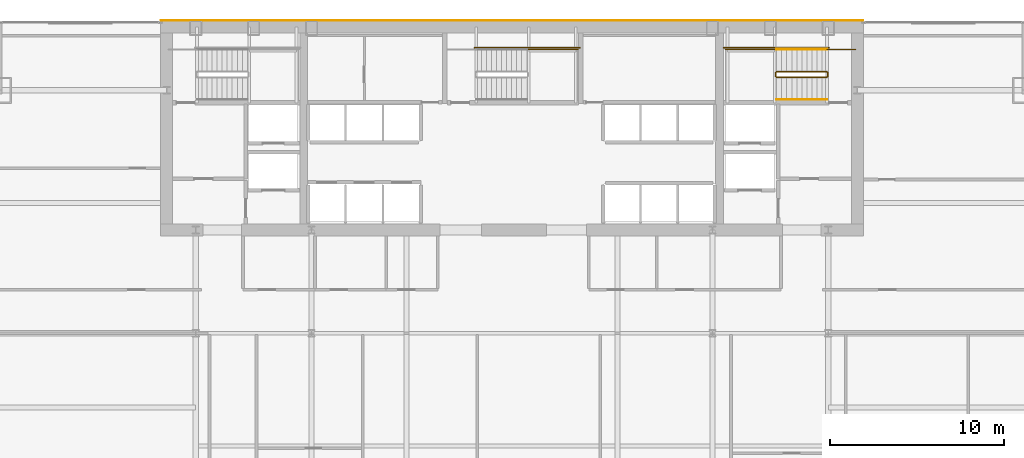
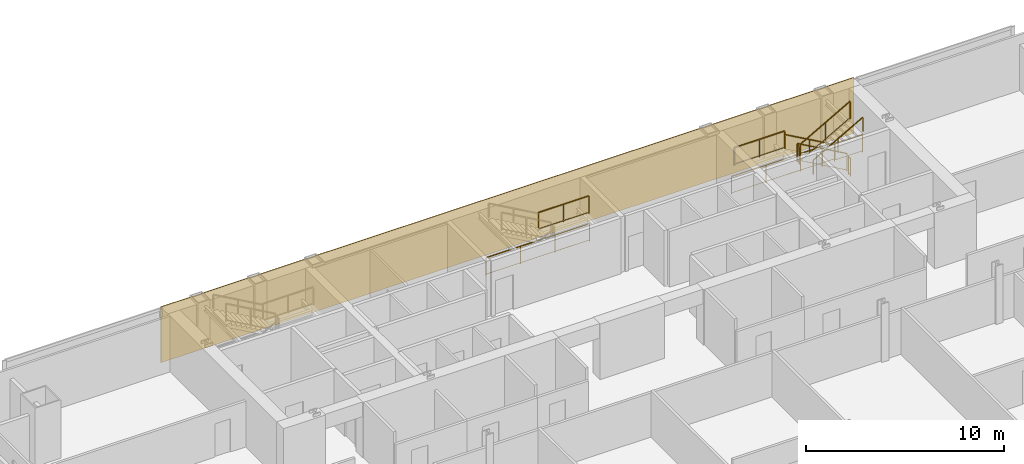
# One storey, part 31 of 32: 11 railings, 1 covering.
"""IFC4 building model written with IfcOpenShell, lengths in metres."""

from ifc_helpers import new_model, si_unit, direction, frame, origin, origin_2d, place, context, subcontext, project, spatial, polyline, rectangle, outline, extrude, material, layer, layer_set, type_object, element, save


model = new_model("IFC4")

# Units and contexts
model_context = context("Model", 3, precision=1e-05, world=origin(), true_north=direction((0.0, 1.0)))
body_context = subcontext(model_context, "Body", "Model", "MODEL_VIEW")
ifc_project = project(units=[si_unit("LENGTHUNIT", "METRE"), si_unit("AREAUNIT", "SQUARE_METRE"), si_unit("VOLUMEUNIT", "CUBIC_METRE"), si_unit("PLANEANGLEUNIT", "RADIAN"), si_unit("MASSUNIT", "GRAM", prefix="KILO")], contexts=[model_context])

# Site, building, storey
site_placement = place(None, origin())
site = spatial("IfcSite", under=ifc_project, at=site_placement, CompositionType="ELEMENT")
building_placement = place(site_placement, origin())
building = spatial("IfcBuilding", under=site, at=building_placement, Name="Khoronbel Lancet Exchange", CompositionType="ELEMENT")
storey_placement = place(building_placement, frame((0.0, 0.0, 111.0)))
storey = spatial("IfcBuildingStorey", under=building, at=storey_placement, Name="L26", CompositionType="ELEMENT", Elevation=111.0)

# Covering
ifc_material_1 = material(Name="Honed Egyptian Limestone & Bronze Rainscreen", Category="masonry")
ifc_layer = layer(ifc_material_1, 0.050048828125, Name="Honed Egyptian Limestone & Bronze Rainscreen")
ifc_layer_set = layer_set([ifc_layer], Name="Honed Egyptian Limestone & Bronze Rainscreen")
covering_type = type_object("IfcCoveringType", Name="COV-CLAD1", PredefinedType="CLADDING", material=ifc_layer_set)
covering_placement = place(storey_placement, origin())
element("IfcCovering", 1, at=covering_placement, inside=storey, type_object=covering_type, Name="Level L26 north rear-core stone and bronze rainscreen cladding", PredefinedType="CLADDING", context=body_context, shape_type="SweptSolid", body=[
    extrude(outline(polyline([(16.199951171875, 53.699951171875), (56.699951171875, 53.699951171875), (56.699951171875, 53.75), (16.199951171875, 53.75), (16.199951171875, 53.699951171875)])), origin(), (0.0, 0.0, 1.0), 3.43994140625),
])

# Railings
ifc_material_2 = material(Name="Painted Steel Balustrade", Category="steel")
railing_type_1 = type_object("IfcRailingType", Name="RL-STG110", PredefinedType="GUARDRAIL", material=ifc_material_2)
railing_1_placement = place(storey_placement, frame((54.60009765625, 50.77001953125, 0.16357421875)))
element("IfcRailing", 2, at=railing_1_placement, inside=storey, type_object=railing_type_1, Name="L26 ST2 stair guard 1", PredefinedType="GUARDRAIL", context=body_context, shape_type="SweptSolid", body=[
    extrude(rectangle(XDim=0.048095703125, YDim=0.048095703125, at=origin_2d()), frame((0.0, 0.0, 1.09619140625), z_axis=(-0.870914908162, 0.0, 0.491433843708), x_axis=(0.0, -1.0, 0.0)), (0.0, 0.0, 1.0), 3.330078125),
    extrude(rectangle(XDim=0.02392578125, YDim=0.02392578125, at=origin_2d()), frame((0.0, 0.0, 0.080078125), z_axis=(-0.870914908162, 0.0, 0.491433843708), x_axis=(0.0, -1.0, 0.0)), (0.0, 0.0, 1.0), 3.330078125),
    extrude(rectangle(XDim=0.0419921875, YDim=0.0419921875, at=origin_2d()), origin(), (0.0, 0.0, 1.0), 1.072021484375),
    extrude(rectangle(XDim=0.0419921875, YDim=0.0419921875, at=origin_2d()), frame((-1.4501953125, 0.0, 0.818359375)), (0.0, 0.0, 1.0), 1.072021484375),
    extrude(rectangle(XDim=0.0419921875, YDim=0.0419921875, at=origin_2d()), frame((-2.900146484375, 0.0, 1.636474609375)), (0.0, 0.0, 1.0), 1.072021484375),
])
railing_2_placement = place(storey_placement, frame((51.64990234375, 50.719970703125, 1.800048828125)))
element("IfcRailing", 3, at=railing_2_placement, inside=storey, type_object=railing_type_1, Name="L26 ST2 stair guard 2", PredefinedType="GUARDRAIL", context=body_context, shape_type="SweptSolid", body=[
    extrude(rectangle(XDim=0.048095703125, YDim=0.048095703125, at=origin_2d()), frame((0.0, 0.0, 1.09619140625), z_axis=(0.0, -1.0, 0.0), x_axis=(1.0, 0.0, 0.0)), (0.0, 0.0, 1.0), 0.219970703125),
    extrude(rectangle(XDim=0.02392578125, YDim=0.02392578125, at=origin_2d()), frame((0.0, 0.0, 0.080078125), z_axis=(0.0, -1.0, 0.0), x_axis=(1.0, 0.0, 0.0)), (0.0, 0.0, 1.0), 0.219970703125),
    extrude(rectangle(XDim=0.0419921875, YDim=0.0419921875, at=origin_2d()), origin(), (0.0, 0.0, 1.0), 1.072021484375),
    extrude(rectangle(XDim=0.0419921875, YDim=0.0419921875, at=origin_2d()), frame((0.0, -0.219970703125, 0.0)), (0.0, 0.0, 1.0), 1.072021484375),
])
railing_3_placement = place(storey_placement, frame((51.699951171875, 52.050048828125, 1.800048828125)))
element("IfcRailing", 4, at=railing_3_placement, inside=storey, type_object=railing_type_1, Name="L26 ST2 stair guard 3", PredefinedType="GUARDRAIL", context=body_context, shape_type="SweptSolid", body=[
    extrude(rectangle(XDim=0.048095703125, YDim=0.048095703125, at=origin_2d()), frame((0.0, 0.0, 1.09619140625), z_axis=(-1.0, 0.0, 0.0), x_axis=(0.0, -1.0, 0.0)), (0.0, 0.0, 1.0), 2.949951171875),
    extrude(rectangle(XDim=0.02392578125, YDim=0.02392578125, at=origin_2d()), frame((0.0, 0.0, 0.080078125), z_axis=(-1.0, 0.0, 0.0), x_axis=(0.0, -1.0, 0.0)), (0.0, 0.0, 1.0), 2.949951171875),
    extrude(rectangle(XDim=0.0419921875, YDim=0.0419921875, at=origin_2d()), origin(), (0.0, 0.0, 1.0), 1.072021484375),
    extrude(rectangle(XDim=0.0419921875, YDim=0.0419921875, at=origin_2d()), frame((-1.47509765625, 0.0, 0.0)), (0.0, 0.0, 1.0), 1.072021484375),
    extrude(rectangle(XDim=0.0419921875, YDim=0.0419921875, at=origin_2d()), frame((-2.949951171875, 0.0, 0.0)), (0.0, 0.0, 1.0), 1.072021484375),
])
railing_4_placement = place(storey_placement, frame((51.699951171875, 50.449951171875, 1.963623046875)))
element("IfcRailing", 5, at=railing_4_placement, inside=storey, type_object=railing_type_1, Name="L26 ST2 stair guard 4", PredefinedType="GUARDRAIL", context=body_context, shape_type="SweptSolid", body=[
    extrude(rectangle(XDim=0.048095703125, YDim=0.048095703125, at=origin_2d()), frame((0.0, 0.0, 1.09619140625), z_axis=(0.870914908162, 0.0, 0.491433843708), x_axis=(0.0, 1.0, 0.0)), (0.0, 0.0, 1.0), 3.330078125),
    extrude(rectangle(XDim=0.02392578125, YDim=0.02392578125, at=origin_2d()), frame((0.0, 0.0, 0.080078125), z_axis=(0.870914908162, 0.0, 0.491433843708), x_axis=(0.0, 1.0, 0.0)), (0.0, 0.0, 1.0), 3.330078125),
    extrude(rectangle(XDim=0.0419921875, YDim=0.0419921875, at=origin_2d()), origin(), (0.0, 0.0, 1.0), 1.072021484375),
    extrude(rectangle(XDim=0.0419921875, YDim=0.0419921875, at=origin_2d()), frame((1.4501953125, 0.0, 0.818359375)), (0.0, 0.0, 1.0), 1.072021484375),
    extrude(rectangle(XDim=0.0419921875, YDim=0.0419921875, at=origin_2d()), frame((2.900146484375, 0.0, 1.636474609375)), (0.0, 0.0, 1.0), 1.072021484375),
])
railing_5_placement = place(storey_placement, frame((54.64990234375, 50.719970703125, 0.0)))
element("IfcRailing", 6, at=railing_5_placement, inside=storey, type_object=railing_type_1, Name="L26 ST2 stair guard 5", PredefinedType="GUARDRAIL", context=body_context, shape_type="SweptSolid", body=[
    extrude(rectangle(XDim=0.048095703125, YDim=0.048095703125, at=origin_2d()), frame((0.0, 0.0, 1.09619140625), z_axis=(0.0, -1.0, 0.0), x_axis=(1.0, 0.0, 0.0)), (0.0, 0.0, 1.0), 0.219970703125),
    extrude(rectangle(XDim=0.02392578125, YDim=0.02392578125, at=origin_2d()), frame((0.0, 0.0, 0.080078125), z_axis=(0.0, -1.0, 0.0), x_axis=(1.0, 0.0, 0.0)), (0.0, 0.0, 1.0), 0.219970703125),
    extrude(rectangle(XDim=0.0419921875, YDim=0.0419921875, at=origin_2d()), origin(), (0.0, 0.0, 1.0), 1.072021484375),
    extrude(rectangle(XDim=0.0419921875, YDim=0.0419921875, at=origin_2d()), frame((0.0, -0.219970703125, 0.0)), (0.0, 0.0, 1.0), 1.072021484375),
])
railing_6_placement = place(storey_placement, frame((56.25, 52.050048828125, 0.0)))
element("IfcRailing", 7, at=railing_6_placement, inside=storey, type_object=railing_type_1, Name="L26 ST2 stair guard 6", PredefinedType="GUARDRAIL", context=body_context, shape_type="SweptSolid", body=[
    extrude(rectangle(XDim=0.048095703125, YDim=0.048095703125, at=origin_2d()), frame((0.0, 0.0, 1.09619140625), z_axis=(-1.0, 0.0, 0.0), x_axis=(0.0, -1.0, 0.0)), (0.0, 0.0, 1.0), 1.64990234375),
    extrude(rectangle(XDim=0.02392578125, YDim=0.02392578125, at=origin_2d()), frame((0.0, 0.0, 0.080078125), z_axis=(-1.0, 0.0, 0.0), x_axis=(0.0, -1.0, 0.0)), (0.0, 0.0, 1.0), 1.64990234375),
    extrude(rectangle(XDim=0.0419921875, YDim=0.0419921875, at=origin_2d()), origin(), (0.0, 0.0, 1.0), 1.072021484375),
    extrude(rectangle(XDim=0.0419921875, YDim=0.0419921875, at=origin_2d()), frame((-1.64990234375, 0.0, 0.0)), (0.0, 0.0, 1.0), 1.072021484375),
])
railing_7_placement = place(storey_placement, frame((54.699951171875, 52.14990234375, 0.0)))
element("IfcRailing", 8, at=railing_7_placement, inside=storey, type_object=railing_type_1, Name="L26 ST2 stair guard 7", PredefinedType="GUARDRAIL", context=body_context, shape_type="SweptSolid", body=[
    extrude(rectangle(XDim=0.048095703125, YDim=0.048095703125, at=origin_2d()), frame((0.0, 0.0, 1.09619140625), z_axis=(-1.0, 0.0, 0.0), x_axis=(0.0, -1.0, 0.0)), (0.0, 0.0, 1.0), 6.050048828125),
    extrude(rectangle(XDim=0.02392578125, YDim=0.02392578125, at=origin_2d()), frame((0.0, 0.0, 0.080078125), z_axis=(-1.0, 0.0, 0.0), x_axis=(0.0, -1.0, 0.0)), (0.0, 0.0, 1.0), 6.050048828125),
    extrude(rectangle(XDim=0.0419921875, YDim=0.0419921875, at=origin_2d()), origin(), (0.0, 0.0, 1.0), 1.072021484375),
    extrude(rectangle(XDim=0.0419921875, YDim=0.0419921875, at=origin_2d()), frame((-2.0166015625, 0.0, 0.0)), (0.0, 0.0, 1.0), 1.072021484375),
    extrude(rectangle(XDim=0.0419921875, YDim=0.0419921875, at=origin_2d()), frame((-4.033447265625, 0.0, 0.0)), (0.0, 0.0, 1.0), 1.072021484375),
    extrude(rectangle(XDim=0.0419921875, YDim=0.0419921875, at=origin_2d()), frame((-6.050048828125, 0.0, 0.0)), (0.0, 0.0, 1.0), 1.072021484375),
])
railing_8_placement = place(storey_placement, frame((37.300048828125, 52.050048828125, 1.800048828125)))
element("IfcRailing", 9, at=railing_8_placement, inside=storey, type_object=railing_type_1, Name="L26 ST3 stair guard 3", PredefinedType="GUARDRAIL", context=body_context, shape_type="SweptSolid", body=[
    extrude(rectangle(XDim=0.048095703125, YDim=0.048095703125, at=origin_2d()), frame((0.0, 0.0, 1.09619140625), z_axis=(1.0, 0.0, 0.0), x_axis=(0.0, 1.0, 0.0)), (0.0, 0.0, 1.0), 2.949951171875),
    extrude(rectangle(XDim=0.02392578125, YDim=0.02392578125, at=origin_2d()), frame((0.0, 0.0, 0.080078125), z_axis=(1.0, 0.0, 0.0), x_axis=(0.0, 1.0, 0.0)), (0.0, 0.0, 1.0), 2.949951171875),
    extrude(rectangle(XDim=0.0419921875, YDim=0.0419921875, at=origin_2d()), origin(), (0.0, 0.0, 1.0), 1.072021484375),
    extrude(rectangle(XDim=0.0419921875, YDim=0.0419921875, at=origin_2d()), frame((1.47509765625, 0.0, 0.0)), (0.0, 0.0, 1.0), 1.072021484375),
    extrude(rectangle(XDim=0.0419921875, YDim=0.0419921875, at=origin_2d()), frame((2.949951171875, 0.0, 0.0)), (0.0, 0.0, 1.0), 1.072021484375),
])
railing_9_placement = place(storey_placement, frame((34.300048828125, 52.14990234375, 0.0)))
element("IfcRailing", 10, at=railing_9_placement, inside=storey, type_object=railing_type_1, Name="L26 ST3 stair guard 7", PredefinedType="GUARDRAIL", context=body_context, shape_type="SweptSolid", body=[
    extrude(rectangle(XDim=0.048095703125, YDim=0.048095703125, at=origin_2d()), frame((0.0, 0.0, 1.09619140625), z_axis=(1.0, 0.0, 0.0), x_axis=(0.0, 1.0, 0.0)), (0.0, 0.0, 1.0), 6.050048828125),
    extrude(rectangle(XDim=0.02392578125, YDim=0.02392578125, at=origin_2d()), frame((0.0, 0.0, 0.080078125), z_axis=(1.0, 0.0, 0.0), x_axis=(0.0, 1.0, 0.0)), (0.0, 0.0, 1.0), 6.050048828125),
    extrude(rectangle(XDim=0.0419921875, YDim=0.0419921875, at=origin_2d()), origin(), (0.0, 0.0, 1.0), 1.072021484375),
    extrude(rectangle(XDim=0.0419921875, YDim=0.0419921875, at=origin_2d()), frame((2.0166015625, 0.0, 0.0)), (0.0, 0.0, 1.0), 1.072021484375),
    extrude(rectangle(XDim=0.0419921875, YDim=0.0419921875, at=origin_2d()), frame((4.033447265625, 0.0, 0.0)), (0.0, 0.0, 1.0), 1.072021484375),
    extrude(rectangle(XDim=0.0419921875, YDim=0.0419921875, at=origin_2d()), frame((6.050048828125, 0.0, 0.0)), (0.0, 0.0, 1.0), 1.072021484375),
])
ifc_material_3 = material(Name="Brushed Stainless Steel 316", Category="steel")
railing_type_2 = type_object("IfcRailingType", Name="RL-STH92", PredefinedType="HANDRAIL", material=ifc_material_3)
railing_10_placement = place(storey_placement, frame((54.60009765625, 52.050048828125, 0.16357421875)))
element("IfcRailing", 11, at=railing_10_placement, inside=storey, type_object=railing_type_2, Name="L26 ST2 stair handrail 1", PredefinedType="HANDRAIL", context=body_context, shape_type="SweptSolid", body=[
    extrude(rectangle(XDim=0.048095703125, YDim=0.048095703125, at=origin_2d()), frame((0.0, 0.0, 0.8759765625), z_axis=(-0.870914908162, 0.0, 0.491433843708), x_axis=(0.0, -1.0, 0.0)), (0.0, 0.0, 1.0), 3.330078125),
    extrude(rectangle(XDim=0.0419921875, YDim=0.0419921875, at=origin_2d()), origin(), (0.0, 0.0, 1.0), 0.851806640625),
    extrude(rectangle(XDim=0.0419921875, YDim=0.0419921875, at=origin_2d()), frame((-1.4501953125, 0.0, 0.818359375)), (0.0, 0.0, 1.0), 0.851806640625),
    extrude(rectangle(XDim=0.0419921875, YDim=0.0419921875, at=origin_2d()), frame((-2.900146484375, 0.0, 1.636474609375)), (0.0, 0.0, 1.0), 0.851806640625),
])
railing_11_placement = place(storey_placement, frame((51.699951171875, 49.169921875, 1.963623046875)))
element("IfcRailing", 12, at=railing_11_placement, inside=storey, type_object=railing_type_2, Name="L26 ST2 stair handrail 2", PredefinedType="HANDRAIL", context=body_context, shape_type="SweptSolid", body=[
    extrude(rectangle(XDim=0.048095703125, YDim=0.048095703125, at=origin_2d()), frame((0.0, 0.0, 0.8759765625), z_axis=(0.870914908162, 0.0, 0.491433843708), x_axis=(0.0, 1.0, 0.0)), (0.0, 0.0, 1.0), 3.330078125),
    extrude(rectangle(XDim=0.0419921875, YDim=0.0419921875, at=origin_2d()), origin(), (0.0, 0.0, 1.0), 0.851806640625),
    extrude(rectangle(XDim=0.0419921875, YDim=0.0419921875, at=origin_2d()), frame((1.4501953125, 0.0, 0.818359375)), (0.0, 0.0, 1.0), 0.851806640625),
    extrude(rectangle(XDim=0.0419921875, YDim=0.0419921875, at=origin_2d()), frame((2.900146484375, 0.0, 1.636474609375)), (0.0, 0.0, 1.0), 0.851806640625),
])

save(model, "model.ifc")
